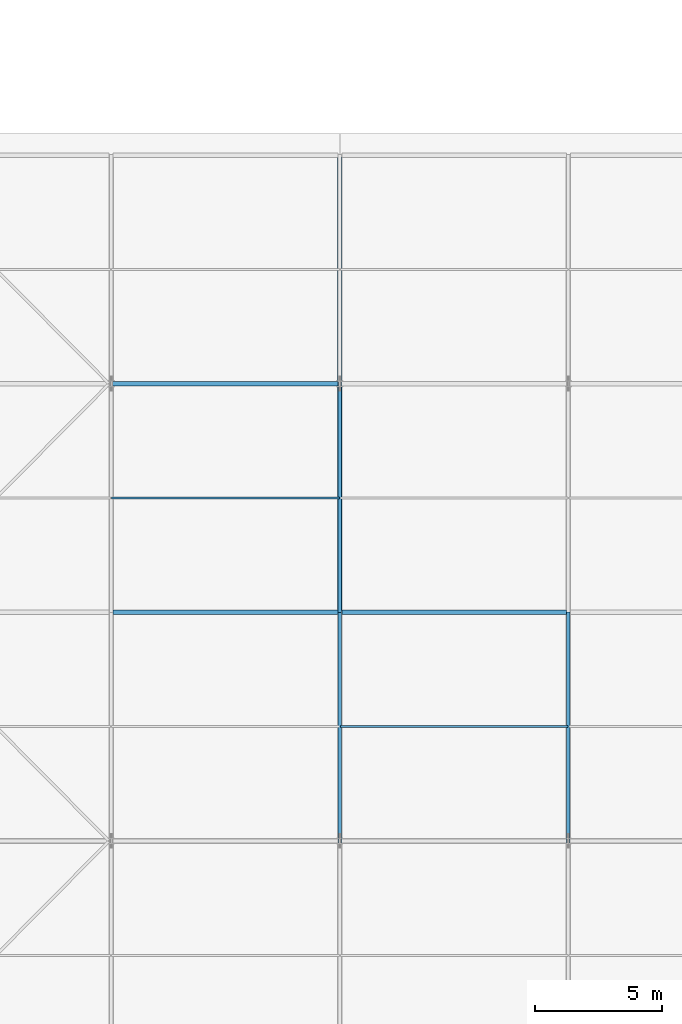
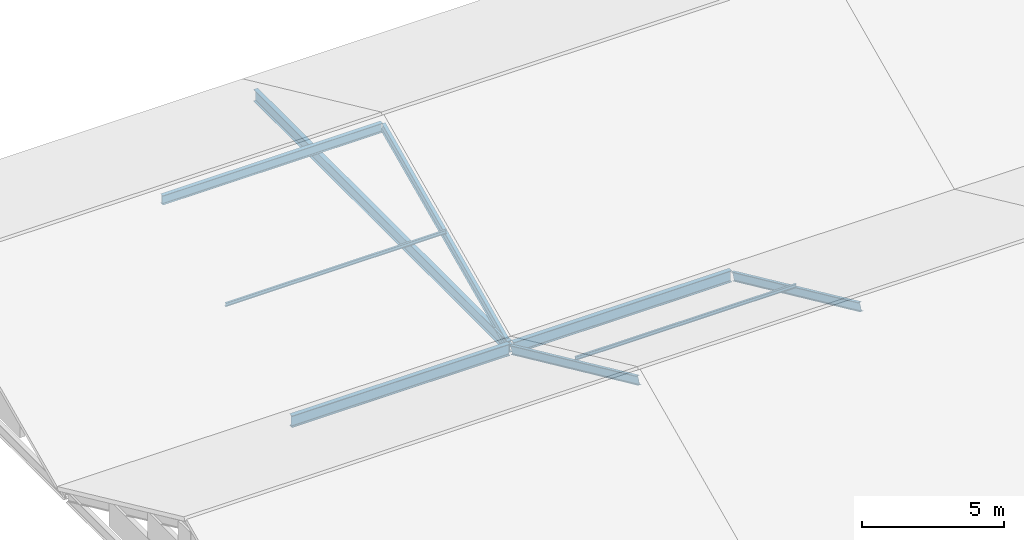
# One storey, part 83 of 163: 6 members, 3 beams.
"""IFC4 building model written with IfcOpenShell, lengths in metres."""

from ifc_helpers import new_model, si_unit, direction, frame, origin, origin_2d, place, context, subcontext, project, spatial, i_section, extrude, material, material_profile, profile_set, type_object, element, save


model = new_model("IFC4")

# Units and contexts
model_context = context("Model", 3, precision=1e-05, world=origin(), true_north=direction((0.0, 1.0)))
body_context = subcontext(model_context, "Body", "Model", "MODEL_VIEW")
ifc_project = project(units=[si_unit("LENGTHUNIT", "METRE"), si_unit("AREAUNIT", "SQUARE_METRE"), si_unit("VOLUMEUNIT", "CUBIC_METRE"), si_unit("PLANEANGLEUNIT", "RADIAN"), si_unit("MASSUNIT", "GRAM", prefix="KILO")], contexts=[model_context])

# Site, building, storey
site_placement = place(None, origin())
site = spatial("IfcSite", under=ifc_project, at=site_placement, CompositionType="ELEMENT")
building_placement = place(site_placement, origin())
building = spatial("IfcBuilding", under=site, at=building_placement, Name="Tharagai Park Tramway Depot", CompositionType="ELEMENT")
storey_placement = place(building_placement, frame((0.0, 0.0, 8.39990234375)))
storey = spatial("IfcBuildingStorey", under=building, at=storey_placement, Name="L02", CompositionType="ELEMENT", Elevation=8.39990234375)

# Beams
ifc_material_1 = material(Name="Steel E350", Category="steel")
ifc_material_profile_1 = material_profile(ifc_material_1, i_section(OverallWidth=0.179931640625, OverallDepth=0.5, WebThickness=0.01025390625, FlangeThickness=0.01708984375, FilletRadius=0.01708984375, at=origin_2d()), Name="ISMB 500")
ifc_profile_set_1 = profile_set([ifc_material_profile_1], Name="Steel E350")
beam_type = type_object("IfcBeamType", Name="BM-18", PredefinedType="BEAM", material=ifc_profile_set_1)
for number, where, z_axis, x_axis, name in (
    (1, (171.080078125, 117.0, -0.5), (1.0, 0.0, 0.0), (0.0, 1.0, 0.0), "V3B1 Roof Eave Girder BM-18"),
    (2, (180.080078125, 117.0, -0.5), (1.0, 0.0, 0.0), (0.0, 1.0, 0.0), "V3B1 Roof Eave Girder BM-18"),
):
    element("IfcBeam", number, at=place(storey_placement, frame(where, z_axis=z_axis, x_axis=x_axis)), inside=storey, type_object=beam_type, Name=name, PredefinedType="BEAM", context=body_context, shape_type="SweptSolid", body=[
        extrude(i_section(OverallWidth=0.179931640625, OverallDepth=0.5, WebThickness=0.01025390625, FlangeThickness=0.01708984375, FilletRadius=0.01708984375, at=origin_2d()), origin(), (0.0, 0.0, 1.0), 8.83984375),
    ])
beam_placement = place(storey_placement, frame((180.0, 117.080078125, -0.5), z_axis=(0.0, 1.0, 0.0), x_axis=(-1.0, 0.0, 0.0)))
element("IfcBeam", 3, at=beam_placement, inside=storey, type_object=beam_type, Name="V3B2 Gable Tie Girder BM-18", PredefinedType="BEAM", context=body_context, shape_type="SweptSolid", body=[
    extrude(i_section(OverallWidth=0.179931640625, OverallDepth=0.5, WebThickness=0.01025390625, FlangeThickness=0.01708984375, FilletRadius=0.01708984375, at=origin_2d()), origin(), (0.0, 0.0, 1.0), 17.83984375),
])

# Members
ifc_material_2 = material(Name="Steel E250", Category="steel")
ifc_material_profile_2 = material_profile(ifc_material_2, i_section(OverallWidth=0.080078125, OverallDepth=0.14990234375, WebThickness=0.0048828125, FlangeThickness=0.007568359375, FilletRadius=0.009033203125, at=origin_2d()), Name="ISMB 150")
ifc_profile_set_2 = profile_set([ifc_material_profile_2], Name="Steel E250")
member_type_1 = type_object("IfcMemberType", Name="PR-05", PredefinedType="PURLIN", material=ifc_profile_set_2)
for number, where, z_axis, x_axis, name in (
    (4, (180.02001953125, 112.5, 1.77392578125), (1.0, 0.0, 0.0), (0.0, 1.0, 0.0), "V3B1 Roof Purlin PR-05"),
    (5, (171.02001953125, 121.5, 1.77392578125), (1.0, 0.0, 0.0), (0.0, 1.0, 0.0), "V3B2 Roof Purlin PR-05"),
):
    element("IfcMember", number, at=place(storey_placement, frame(where, z_axis=z_axis, x_axis=x_axis)), inside=storey, type_object=member_type_1, Name=name, PredefinedType="PURLIN", context=body_context, shape_type="SweptSolid", body=[
        extrude(i_section(OverallWidth=0.080078125, OverallDepth=0.14990234375, WebThickness=0.0048828125, FlangeThickness=0.007568359375, FilletRadius=0.009033203125, at=origin_2d()), origin(), (0.0, 0.0, 1.0), 8.9599609375),
    ])
ifc_material_profile_3 = material_profile(ifc_material_1, i_section(OverallWidth=0.139892578125, OverallDepth=0.35009765625, WebThickness=0.008056640625, FlangeThickness=0.01416015625, FilletRadius=0.013916015625, at=origin_2d()), Name="ISMB 350")
ifc_profile_set_3 = profile_set([ifc_material_profile_3], Name="Steel E350")
member_type_2 = type_object("IfcMemberType", Name="RF-01", PredefinedType="RAFTER", material=ifc_profile_set_3)
for number, where, z_axis, x_axis, name in (
    (6, (180.0, 108.0, 3.56982421875), (0.0, 0.909083998875, -0.416612869448), (-1.0, 0.0, 0.0), "V3B1 Pitched Rafter RF-01 North"),
    (7, (189.0, 108.0, 3.56982421875), (0.0, 0.909083998875, -0.416612869448), (-1.0, 0.0, 0.0), "V3B1 Pitched Rafter RF-01 North"),
    (8, (180.0, 117.050048828125, -0.53173828125), (0.0, 0.909083998875, 0.416612869448), (-1.0, 0.0, 0.0), "V3B2 Pitched Rafter RF-01 South"),
):
    element("IfcMember", number, at=place(storey_placement, frame(where, z_axis=z_axis, x_axis=x_axis)), inside=storey, type_object=member_type_2, Name=name, PredefinedType="RAFTER", context=body_context, shape_type="SweptSolid", body=[
        extrude(i_section(OverallWidth=0.139892578125, OverallDepth=0.35009765625, WebThickness=0.008056640625, FlangeThickness=0.01416015625, FilletRadius=0.013916015625, at=origin_2d()), origin(), (0.0, 0.0, 1.0), 9.844970703125),
    ])
ifc_material_profile_4 = material_profile(ifc_material_1, i_section(OverallWidth=0.1650390625, OverallDepth=0.39990234375, WebThickness=0.008056640625, FlangeThickness=0.012451171875, FilletRadius=0.013916015625, at=origin_2d()), Name="ISLB 400")
ifc_profile_set_4 = profile_set([ifc_material_profile_4], Name="Steel E350")
member_type_3 = type_object("IfcMemberType", Name="TC-04", PredefinedType="CHORD", material=ifc_profile_set_4)
member_placement = place(storey_placement, frame((171.0400390625, 126.0, 3.544921875), z_axis=(1.0, 0.0, 0.0), x_axis=(0.0, 1.0, 0.0)))
element("IfcMember", 9, at=member_placement, inside=storey, type_object=member_type_3, Name="V3B2 Roof Ridge Chord TC-04", PredefinedType="CHORD", context=body_context, shape_type="SweptSolid", body=[
    extrude(i_section(OverallWidth=0.1650390625, OverallDepth=0.39990234375, WebThickness=0.008056640625, FlangeThickness=0.012451171875, FilletRadius=0.013916015625, at=origin_2d()), origin(), (0.0, 0.0, 1.0), 8.919921875),
])

save(model, "model.ifc")
